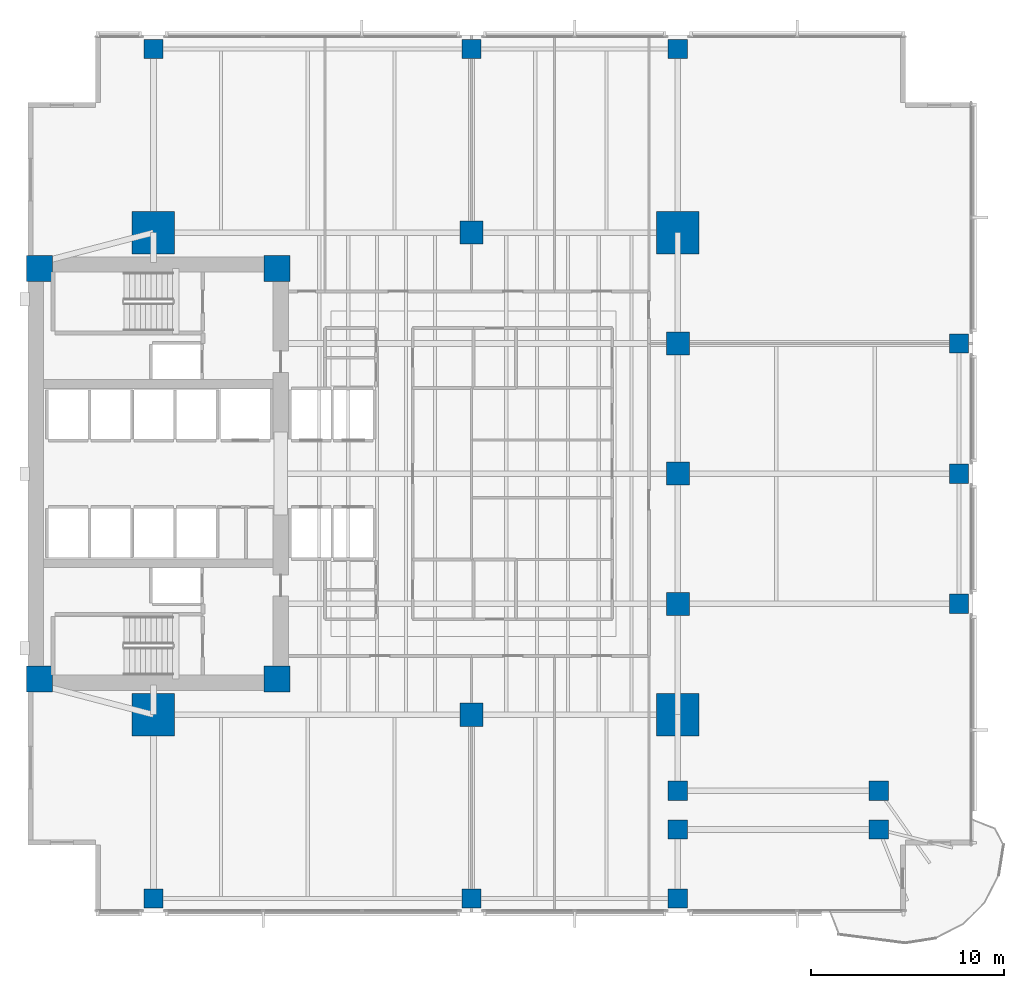
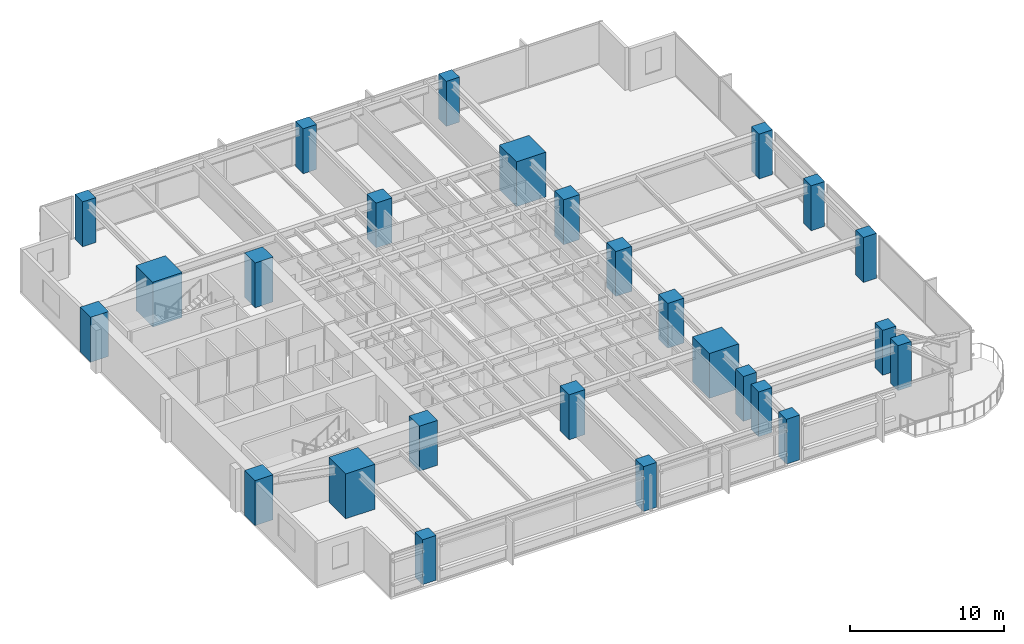
# One storey, part 1 of 15: 26 columns.
"""IFC4 building model written with IfcOpenShell, lengths in metres."""

from ifc_helpers import new_model, si_unit, direction, frame, origin, origin_2d, place, context, subcontext, project, spatial, rectangle, extrude, material, material_profile, profile_set, type_object, element, save


model = new_model("IFC4")

# Units and contexts
model_context = context("Model", 3, precision=1e-05, world=origin(), true_north=direction((0.0, 1.0)))
body_context = subcontext(model_context, "Body", "Model", "MODEL_VIEW")
ifc_project = project(units=[si_unit("LENGTHUNIT", "METRE"), si_unit("AREAUNIT", "SQUARE_METRE"), si_unit("VOLUMEUNIT", "CUBIC_METRE"), si_unit("PLANEANGLEUNIT", "RADIAN"), si_unit("MASSUNIT", "GRAM", prefix="KILO")], contexts=[model_context])

# Site, building, storey
site_placement = place(None, origin())
site = spatial("IfcSite", under=ifc_project, at=site_placement, CompositionType="ELEMENT")
building_placement = place(site_placement, origin())
building = spatial("IfcBuilding", under=site, at=building_placement, Name="Kinhvarn Gate Tower", CompositionType="ELEMENT")
storey_placement = place(building_placement, frame((0.0, 0.0, 71.75)))
storey = spatial("IfcBuildingStorey", under=building, at=storey_placement, Name="L18", CompositionType="ELEMENT", Elevation=71.75)

# Columns
ifc_material_1 = material(Name="Concrete C70/85", Category="concrete")
ifc_material_profile_1 = material_profile(ifc_material_1, rectangle(XDim=2.199951171875, YDim=2.199951171875, at=origin_2d()), Name="RC 2200x2200")
ifc_profile_set_1 = profile_set([ifc_material_profile_1], Name="Concrete C70/85")
column_type_1 = type_object("IfcColumnType", Name="COL-MC-2200", PredefinedType="COLUMN", material=ifc_profile_set_1)
for number, where, z_axis, x_axis, name in (
    (1, (11.0, 12.75, 0.0), (0.0, 0.0, 1.0), (1.0, 0.0, 0.0), "Column MC1-L18 (MC-22)"),
    (2, (11.0, 37.75, 0.0), (0.0, 0.0, 1.0), (1.0, 0.0, 0.0), "Column MC4-L18 (MC-22)"),
    (3, (38.199951171875, 12.75, 0.0), (0.0, 0.0, 1.0), (1.0, 0.0, 0.0), "Column MC2-L18 (MC-22)"),
    (4, (38.199951171875, 37.75, 0.0), (0.0, 0.0, 1.0), (1.0, 0.0, 0.0), "Column MC3-L18 (MC-22)"),
):
    element("IfcColumn", number, at=place(storey_placement, frame(where, z_axis=z_axis, x_axis=x_axis)), inside=storey, type_object=column_type_1, Name=name, PredefinedType="COLUMN", context=body_context, shape_type="SweptSolid", body=[
        extrude(rectangle(XDim=2.199951171875, YDim=2.199951171875, at=origin_2d()), origin(), (0.0, 0.0, 1.0), 3.550048828125),
    ])
ifc_material_2 = material(Name="Concrete C60/75", Category="concrete")
ifc_material_profile_2 = material_profile(ifc_material_2, rectangle(XDim=1.0, YDim=1.0, at=origin_2d()), Name="RC 1000x1000")
ifc_profile_set_2 = profile_set([ifc_material_profile_2], Name="Concrete C60/75")
column_type_2 = type_object("IfcColumnType", Name="COL-RC-1000", PredefinedType="COLUMN", material=ifc_profile_set_2)
for number, where, z_axis, x_axis, name in (
    (5, (48.6201171875, 6.800048828125, 0.0), (0.0, 0.0, 1.0), (1.0, 0.0, 0.0), "Column CS-SE1-L18 (C-100)"),
    (6, (38.199951171875, 6.800048828125, 0.0), (0.0, 0.0, 1.0), (1.0, 0.0, 0.0), "Column CS-ANC68-L18 (C-100)"),
    (7, (38.199951171875, 8.800048828125, 0.0), (0.0, 0.0, 1.0), (1.0, 0.0, 0.0), "Column CS-ANC88-L18 (C-100)"),
    (8, (48.6201171875, 8.800048828125, 0.0), (0.0, 0.0, 1.0), (1.0, 0.0, 0.0), "Column CS-SE1B-L18 (C-100)"),
    (9, (52.780029296875, 18.5, 0.0), (0.0, 0.0, 1.0), (1.0, 0.0, 0.0), "Column CE-1-L18 (C-100)"),
    (10, (52.780029296875, 25.25, 0.0), (0.0, 0.0, 1.0), (1.0, 0.0, 0.0), "Column CE-2-L18 (C-100)"),
    (11, (52.780029296875, 32.0, 0.0), (0.0, 0.0, 1.0), (1.0, 0.0, 0.0), "Column CE-3-L18 (C-100)"),
    (12, (11.0, 3.219970703125, 0.0), (0.0, 0.0, 1.0), (1.0, 0.0, 0.0), "Column CS-0-L18 (C-100)"),
    (13, (27.5, 3.219970703125, 0.0), (0.0, 0.0, 1.0), (1.0, 0.0, 0.0), "Column CS-1-L18 (C-100)"),
    (14, (38.199951171875, 3.219970703125, 0.0), (0.0, 0.0, 1.0), (1.0, 0.0, 0.0), "Column CS-2-L18 (C-100)"),
    (15, (11.0, 47.280029296875, 0.0), (0.0, 0.0, 1.0), (1.0, 0.0, 0.0), "Column CN-0-L18 (C-100)"),
    (16, (27.5, 47.280029296875, 0.0), (0.0, 0.0, 1.0), (1.0, 0.0, 0.0), "Column CN-1-L18 (C-100)"),
    (17, (38.199951171875, 47.280029296875, 0.0), (0.0, 0.0, 1.0), (1.0, 0.0, 0.0), "Column CN-2-L18 (C-100)"),
):
    element("IfcColumn", number, at=place(storey_placement, frame(where, z_axis=z_axis, x_axis=x_axis)), inside=storey, type_object=column_type_2, Name=name, PredefinedType="COLUMN", context=body_context, shape_type="SweptSolid", body=[
        extrude(rectangle(XDim=1.0, YDim=1.0, at=origin_2d()), origin(), (0.0, 0.0, 1.0), 3.550048828125),
    ])
ifc_material_profile_3 = material_profile(ifc_material_2, rectangle(XDim=1.199951171875, YDim=1.199951171875, at=origin_2d()), Name="RC 1200x1200")
ifc_profile_set_3 = profile_set([ifc_material_profile_3], Name="Concrete C60/75")
column_type_3 = type_object("IfcColumnType", Name="COL-RC-1200", PredefinedType="COLUMN", material=ifc_profile_set_3)
for number, where, z_axis, x_axis, name in (
    (18, (27.5, 12.75, 0.0), (0.0, 0.0, 1.0), (1.0, 0.0, 0.0), "Column SP27-S-L18 (C-120)"),
    (19, (27.5, 37.75, 0.0), (0.0, 0.0, 1.0), (1.0, 0.0, 0.0), "Column SP27-N-L18 (C-120)"),
    (20, (38.199951171875, 18.5, 0.0), (0.0, 0.0, 1.0), (1.0, 0.0, 0.0), "Column SP38-E1-L18 (C-120)"),
    (21, (38.199951171875, 25.25, 0.0), (0.0, 0.0, 1.0), (1.0, 0.0, 0.0), "Column SP38-E2-L18 (C-120)"),
    (22, (38.199951171875, 32.0, 0.0), (0.0, 0.0, 1.0), (1.0, 0.0, 0.0), "Column SP38-E3-L18 (C-120)"),
):
    element("IfcColumn", number, at=place(storey_placement, frame(where, z_axis=z_axis, x_axis=x_axis)), inside=storey, type_object=column_type_3, Name=name, PredefinedType="COLUMN", context=body_context, shape_type="SweptSolid", body=[
        extrude(rectangle(XDim=1.199951171875, YDim=1.199951171875, at=origin_2d()), origin(), (0.0, 0.0, 1.0), 3.550048828125),
    ])
ifc_material_profile_4 = material_profile(ifc_material_1, rectangle(XDim=1.35009765625, YDim=1.35009765625, at=origin_2d()), Name="RC 1350x1350")
ifc_profile_set_4 = profile_set([ifc_material_profile_4], Name="Concrete C70/85")
column_type_4 = type_object("IfcColumnType", Name="PIL-RC-1350", PredefinedType="PILASTER", material=ifc_profile_set_4)
for number, where, z_axis, x_axis, name in (
    (23, (5.10009765625, 14.60009765625, 0.0), (0.0, 0.0, 1.0), (1.0, 0.0, 0.0), "Column CC-SW-L18 (CP-135)"),
    (24, (5.10009765625, 35.89990234375, 0.0), (0.0, 0.0, 1.0), (1.0, 0.0, 0.0), "Column CC-NW-L18 (CP-135)"),
    (25, (17.39990234375, 14.60009765625, 0.0), (0.0, 0.0, 1.0), (1.0, 0.0, 0.0), "Column CC-SE-L18 (CP-135)"),
    (26, (17.39990234375, 35.89990234375, 0.0), (0.0, 0.0, 1.0), (1.0, 0.0, 0.0), "Column CC-NE-L18 (CP-135)"),
):
    element("IfcColumn", number, at=place(storey_placement, frame(where, z_axis=z_axis, x_axis=x_axis)), inside=storey, type_object=column_type_4, Name=name, PredefinedType="PILASTER", context=body_context, shape_type="SweptSolid", body=[
        extrude(rectangle(XDim=1.35009765625, YDim=1.35009765625, at=origin_2d()), origin(), (0.0, 0.0, 1.0), 3.550048828125),
    ])

save(model, "model.ifc")
